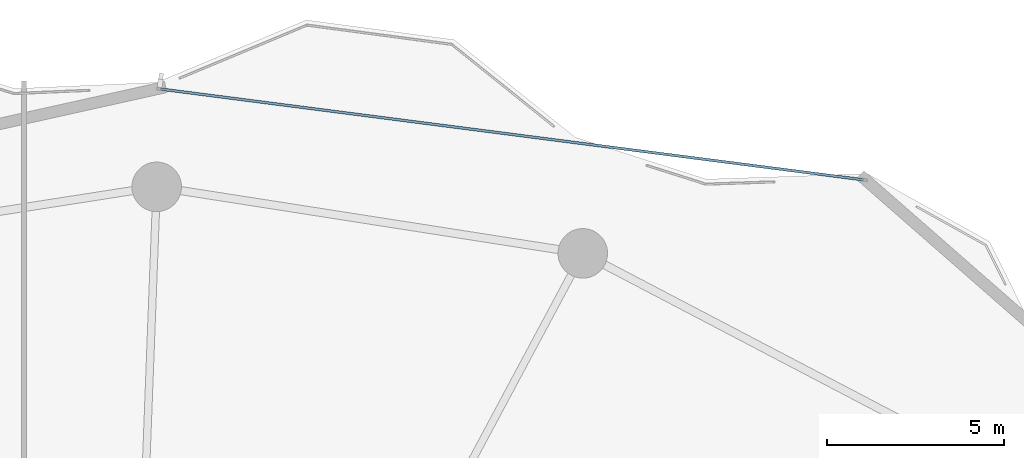
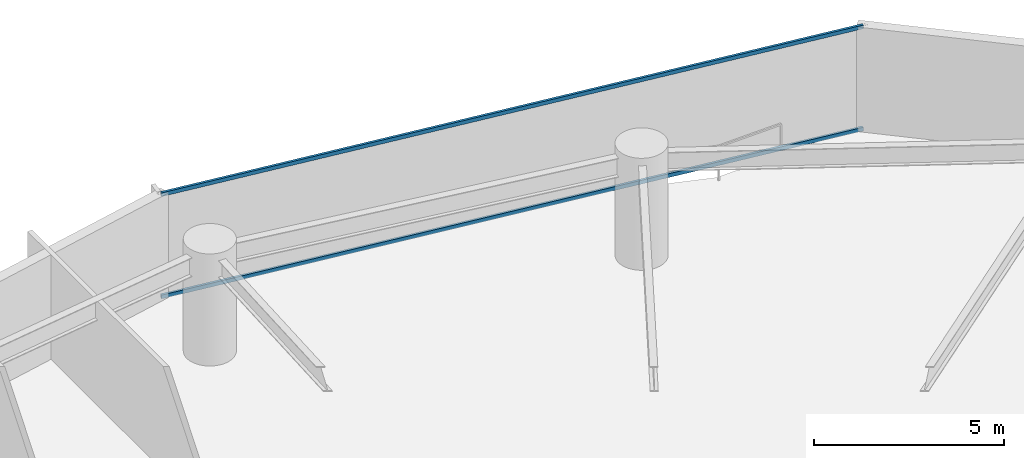
# One storey, part 21 of 31: 2 members, 1 element without a shape of its own.
"""IFC4 building model written with IfcOpenShell, lengths in metres."""

import ifcopenshell
import ifcopenshell.guid

model = None  # the IFC model being written
_history = None  # IfcOwnerHistory: only IFC2X3 demands one
_inside = {}  # id of a spatial element -> (the spatial element, [elements in it])
_under = {}  # id of a project, library or spatial element -> (it, [spatial elements below it])
_declared = {}  # id of a project -> (the project, [libraries it declares])
_typed = {}  # id of a type object -> (the type object, [elements of that type])
_made_of = {}  # id of a material, layer set ... -> (it, [elements and type objects made of it])


def new_model(schema):
    """Start an empty IFC model of exactly this schema.

    Asked for "IFC4X3", IfcOpenShell would pick the latest addendum, in which some entities
    have other attributes; the version numbers below select the first issue.
    IFC2X3 requires an IfcOwnerHistory on every rooted entity: one is made here for all.
    """
    global model, _history
    if schema == "IFC4X3":
        model = ifcopenshell.file(schema_version=(4, 3, 0, 0))
    else:
        model = ifcopenshell.file(schema=schema)
    _inside.clear()
    _under.clear()
    _declared.clear()
    _typed.clear()
    _made_of.clear()
    _history = None
    if model.schema == "IFC2X3":
        org = make("IfcOrganization", Name="unknown")
        user = make(
            "IfcPersonAndOrganization",
            ThePerson=make("IfcPerson", FamilyName="unknown"),
            TheOrganization=org,
        )
        app = make(
            "IfcApplication",
            ApplicationDeveloper=org,
            Version="unknown",
            ApplicationFullName="unknown",
            ApplicationIdentifier="unknown",
        )
        _history = make(
            "IfcOwnerHistory",
            OwningUser=user,
            OwningApplication=app,
            ChangeAction="ADDED",
            CreationDate=0,
        )
    return model


def make(cls, **values):
    """One entity of the class cls with the attributes given. An attribute that is None is left unset."""
    return model.create_entity(
        cls, **{name: value for name, value in values.items() if value is not None}
    )


def rooted(cls, **values):
    """An entity with a GlobalId (a new one), such as an element, a storey or a relation."""
    return make(cls, GlobalId=ifcopenshell.guid.new(), OwnerHistory=_history, **values)


def si_unit(unit_type, name, prefix=None):
    """IfcSIUnit, for example si_unit("LENGTHUNIT", "METRE", prefix="MILLI")."""
    return make("IfcSIUnit", UnitType=unit_type, Prefix=prefix, Name=name)


def assignment(units):
    """IfcUnitAssignment: the units of a project."""
    return None if units is None else make("IfcUnitAssignment", Units=units)


def point(xyz):
    """IfcCartesianPoint."""
    return None if xyz is None else make("IfcCartesianPoint", Coordinates=xyz)


def direction(xyz):
    """IfcDirection."""
    return None if xyz is None else make("IfcDirection", DirectionRatios=xyz)


def frame(location, z_axis=None, x_axis=None):
    """IfcAxis2Placement3D, a coordinate frame: its origin and axes. An axis left out is left unset."""
    return make(
        "IfcAxis2Placement3D",
        Location=point(location),
        Axis=direction(z_axis),
        RefDirection=direction(x_axis),
    )


def frame_2d(location, x_axis=None):
    """IfcAxis2Placement2D, a coordinate frame in the plane: its origin and x axis."""
    return make(
        "IfcAxis2Placement2D", Location=point(location), RefDirection=direction(x_axis)
    )


def origin():
    """The frame at (0, 0, 0) with its axes left unset."""
    return frame((0.0, 0.0, 0.0))


def origin_2d():
    """The frame at (0, 0) in the plane with its x axis left unset."""
    return frame_2d((0.0, 0.0))


def place(relative_to, where):
    """IfcLocalPlacement: puts the frame where relative to a parent placement (None: the world)."""
    return make(
        "IfcLocalPlacement", PlacementRelTo=relative_to, RelativePlacement=where
    )


def context(
    kind, dimensions, precision=None, world=None, true_north=None, identifier=None
):
    """IfcGeometricRepresentationContext, for example the 3D "Model" context."""
    return make(
        "IfcGeometricRepresentationContext",
        ContextIdentifier=identifier,
        ContextType=kind,
        CoordinateSpaceDimension=dimensions,
        Precision=precision,
        WorldCoordinateSystem=world,
        TrueNorth=true_north,
    )


def subcontext(parent, identifier, kind, view, scale=None):
    """IfcGeometricRepresentationSubContext, for example "Body" below "Model"."""
    return make(
        "IfcGeometricRepresentationSubContext",
        ContextIdentifier=identifier,
        ContextType=kind,
        ParentContext=parent,
        TargetScale=scale,
        TargetView=view,
    )


def project(units=None, contexts=None):
    """IfcProject with its units and contexts."""
    return rooted(
        "IfcProject",
        Name="project",
        RepresentationContexts=contexts,
        UnitsInContext=assignment(units),
    )


def spatial(cls, under=None, at=None, **own):
    """A site, building, storey or space (cls), placed at a placement, below another one or the project."""
    s = rooted(cls, ObjectPlacement=at, **own)
    if under is not None:
        _under.setdefault(under.id(), (under, []))[1].append(s)
    return s


def profile(cls, at=None, kind="AREA", **sizes):
    """A parametric profile (cls). Its sizes go by their IFC names, for example OverallWidth=200.0."""
    return make(cls, ProfileType=kind, Position=at, **sizes)


def hollow_rectangle(**sizes):
    """IfcRectangleHollowProfileDef."""
    return profile("IfcRectangleHollowProfileDef", **sizes)


def extrude(swept, where, along, depth):
    """IfcExtrudedAreaSolid: the profile swept, set in the frame where, extruded along a direction by depth."""
    return make(
        "IfcExtrudedAreaSolid",
        SweptArea=swept,
        Position=where,
        ExtrudedDirection=direction(along),
        Depth=depth,
    )


def shape(context_of_items, identifier, shape_type, items):
    """IfcShapeRepresentation: the items that make up one representation, for example the "Body"."""
    return make(
        "IfcShapeRepresentation",
        ContextOfItems=context_of_items,
        RepresentationIdentifier=identifier,
        RepresentationType=shape_type,
        Items=items,
    )


def material(Name=None, Category=None):
    """IfcMaterial."""
    return make("IfcMaterial", Name=Name, Category=Category)


def layer(
    of_material, thickness, ventilated=None, Name=None, Category=None, Priority=None
):
    """IfcMaterialLayer: one layer of a wall or slab, of a material (None: an air gap)."""
    return make(
        "IfcMaterialLayer",
        Material=of_material,
        LayerThickness=thickness,
        IsVentilated=ventilated,
        Name=Name,
        Category=Category,
        Priority=Priority,
    )


def layer_set(layers, Name=None):
    """IfcMaterialLayerSet."""
    return make("IfcMaterialLayerSet", MaterialLayers=layers, LayerSetName=Name)


def material_profile(
    of_material, cross_section, Name=None, Category=None, Priority=None
):
    """IfcMaterialProfile: a cross section and its material."""
    return make(
        "IfcMaterialProfile",
        Name=Name,
        Material=of_material,
        Profile=cross_section,
        Priority=Priority,
        Category=Category,
    )


def profile_set(profiles, Name=None, composite=None):
    """IfcMaterialProfileSet."""
    return make(
        "IfcMaterialProfileSet",
        Name=Name,
        MaterialProfiles=profiles,
        CompositeProfile=composite,
    )


def made_of(thing, what):
    """Note that an element or type object is made of a material, layer set ...; save() writes the relation."""
    if what is not None:
        _made_of.setdefault(what.id(), (what, []))[1].append(thing)
    return thing


def type_object(cls, material=None, **own):
    """A type object (cls), such as IfcWallType, which elements share."""
    return made_of(rooted(cls, **own), material)


def element(
    cls,
    number,
    at=None,
    inside=None,
    cuts=None,
    type_object=None,
    material=None,
    context=None,
    identifier="Body",
    shape_type=None,
    held_by="IfcProductDefinitionShape",
    body=None,
    shapes=None,
    **own,
):
    """One element of the class cls, such as IfcWall. Its Tag is "e" and its number.

    at: its placement. inside: the storey or other place that contains it. cuts: it is an
    opening in that element (IfcRelVoidsElement). A single representation is given by context,
    identifier, shape_type and body (its items); several are given by shapes. held_by: the class
    of the entity that holds the representations. save() writes the other relations.
    """
    e = rooted(cls, Tag="e%d" % number, ObjectPlacement=at, **own)
    if body is not None:
        shapes = [shape(context, identifier, shape_type, body)]
    if shapes is not None:
        e.Representation = make(held_by, Representations=shapes)
    if inside is not None:
        _inside.setdefault(inside.id(), (inside, []))[1].append(e)
    if cuts is not None:
        rooted(
            "IfcRelVoidsElement", RelatingBuildingElement=cuts, RelatedOpeningElement=e
        )
    if type_object is not None:
        _typed.setdefault(type_object.id(), (type_object, []))[1].append(e)
    return made_of(e, material)


def aggregate(whole, parts):
    """IfcRelAggregates: a whole, such as a stair, and the parts it consists of."""
    return rooted("IfcRelAggregates", RelatingObject=whole, RelatedObjects=parts)


def save(model, path):
    """Write the relations noted so far, then the file.

    IfcRelAggregates (storeys below a building ...), IfcRelContainedInSpatialStructure (elements
    in a storey), IfcRelDefinesByType, IfcRelAssociatesMaterial and IfcRelDeclares: one each for
    every whole, place, type object, material and project.
    """
    for whole, parts in _under.values():
        aggregate(whole, parts)
    for where, things in _inside.values():
        rooted(
            "IfcRelContainedInSpatialStructure",
            RelatedElements=things,
            RelatingStructure=where,
        )
    for kind, things in _typed.values():
        rooted("IfcRelDefinesByType", RelatedObjects=things, RelatingType=kind)
    for what, things in _made_of.values():
        rooted("IfcRelAssociatesMaterial", RelatedObjects=things, RelatingMaterial=what)
    for by, libraries in _declared.values():
        rooted("IfcRelDeclares", RelatingContext=by, RelatedDefinitions=libraries)
    model.write(path)


model = new_model("IFC4")

# Units and contexts
model_context = context("Model", 3, precision=1e-05, world=origin(), true_north=direction((0.0, 1.0)))
body_context = subcontext(model_context, "Body", "Model", "MODEL_VIEW")
ifc_project = project(units=[si_unit("LENGTHUNIT", "METRE"), si_unit("AREAUNIT", "SQUARE_METRE"), si_unit("VOLUMEUNIT", "CUBIC_METRE"), si_unit("PLANEANGLEUNIT", "RADIAN"), si_unit("MASSUNIT", "GRAM", prefix="KILO")], contexts=[model_context])

# Site, building, storey
site_placement = place(None, origin())
site = spatial("IfcSite", under=ifc_project, at=site_placement, CompositionType="ELEMENT")
building_placement = place(site_placement, origin())
building = spatial("IfcBuilding", under=site, at=building_placement, Name="Kazevale Care Tower and Concert Hall", CompositionType="ELEMENT")
storey_placement = place(building_placement, frame((0.0, 0.0, 63.60009765625)))
storey = spatial("IfcBuildingStorey", under=building, at=storey_placement, Name="L16", CompositionType="ELEMENT", Elevation=63.60009765625)

# Curtain wall, members
ifc_material_1 = material(Name="Aluminium 6063-T6 and Low-E Glass", Category="aluminium")
ifc_layer = layer(ifc_material_1, 0.179931640625)
ifc_layer_set = layer_set([ifc_layer], Name="Aluminium 6063-T6 and Low-E Glass")
curtain_wall_type = type_object("IfcCurtainWallType", Name="Convex Recessed Sunroom Curtain Wall CW-3", PredefinedType="NOTDEFINED", material=ifc_layer_set)
curtain_wall_placement = place(storey_placement, origin())
curtain_wall = element("IfcCurtainWall", 1, at=curtain_wall_placement, inside=storey, type_object=curtain_wall_type, Name="cw:L16:f16", PredefinedType="NOTDEFINED")
ifc_material_2 = material(Name="Aluminium 6063-T6", Category="aluminium")
ifc_material_profile = material_profile(ifc_material_2, hollow_rectangle(XDim=0.074951171875, YDim=0.1201171875, WallThickness=0.00390625, at=origin_2d()), Name="ALU75x120x4")
ifc_profile_set = profile_set([ifc_material_profile], Name="Aluminium 6063-T6")
member_type = type_object("IfcMemberType", Name="CW-3 Transom ALU75x120x4", PredefinedType="USERDEFINED", material=ifc_profile_set)
member_1_placement = place(storey_placement, frame((45.114501953125, 65.412353515625, 0.037353515625), z_axis=(0.991763328336, -0.128083959056, 0.0), x_axis=(0.128083959056, 0.991763328336, 0.0)))
member_1 = element("IfcMember", 2, at=member_1_placement, type_object=member_type, Name="CW-3 transom 1.1", ObjectType="TRANSOM", PredefinedType="USERDEFINED", context=body_context, shape_type="SweptSolid", body=[
    extrude(hollow_rectangle(XDim=0.074951171875, YDim=0.1201171875, WallThickness=0.00390625, at=origin_2d()), origin(), (0.0, 0.0, 1.0), 20.015869140625),
])
member_2_placement = place(storey_placement, frame((45.114501953125, 65.412353515625, 3.322509765625), z_axis=(0.991763328336, -0.128083959056, 0.0), x_axis=(0.128083959056, 0.991763328336, 0.0)))
member_2 = element("IfcMember", 3, at=member_2_placement, type_object=member_type, Name="CW-3 transom 1.2", ObjectType="TRANSOM", PredefinedType="USERDEFINED", context=body_context, shape_type="SweptSolid", body=[
    extrude(hollow_rectangle(XDim=0.074951171875, YDim=0.1201171875, WallThickness=0.00390625, at=origin_2d()), origin(), (0.0, 0.0, 1.0), 20.015869140625),
])
aggregate(curtain_wall, [member_1, member_2])

save(model, "model.ifc")
